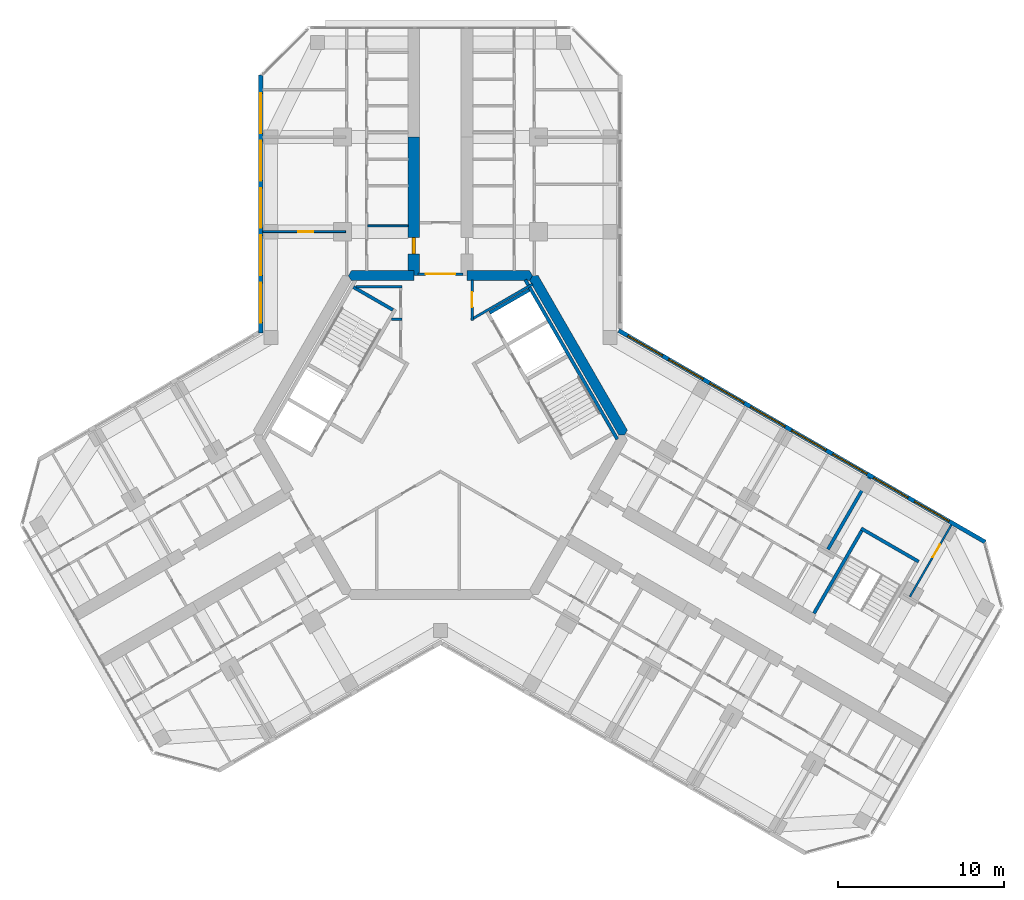
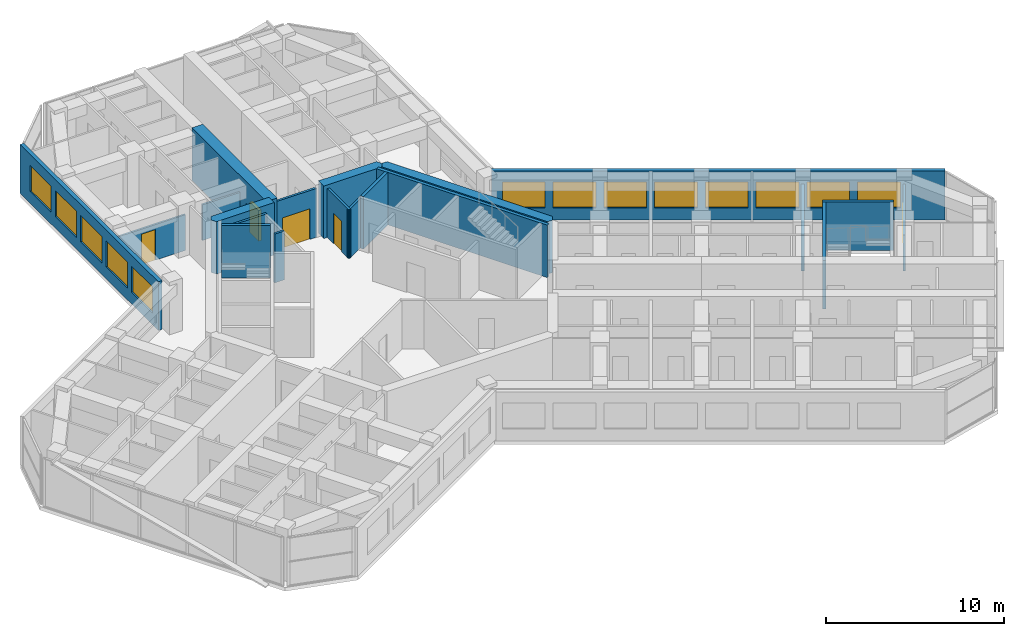
# One storey, part 13 of 16: 20 walls, 13 windows, 5 doors, 18 openings.
"""IFC4 building model written with IfcOpenShell, lengths in metres."""

import ifcopenshell
import ifcopenshell.guid

model = None  # the IFC model being written
_history = None  # IfcOwnerHistory: only IFC2X3 demands one
_inside = {}  # id of a spatial element -> (the spatial element, [elements in it])
_under = {}  # id of a project, library or spatial element -> (it, [spatial elements below it])
_declared = {}  # id of a project -> (the project, [libraries it declares])
_typed = {}  # id of a type object -> (the type object, [elements of that type])
_made_of = {}  # id of a material, layer set ... -> (it, [elements and type objects made of it])


def new_model(schema):
    """Start an empty IFC model of exactly this schema.

    Asked for "IFC4X3", IfcOpenShell would pick the latest addendum, in which some entities
    have other attributes; the version numbers below select the first issue.
    IFC2X3 requires an IfcOwnerHistory on every rooted entity: one is made here for all.
    """
    global model, _history
    if schema == "IFC4X3":
        model = ifcopenshell.file(schema_version=(4, 3, 0, 0))
    else:
        model = ifcopenshell.file(schema=schema)
    _inside.clear()
    _under.clear()
    _declared.clear()
    _typed.clear()
    _made_of.clear()
    _history = None
    if model.schema == "IFC2X3":
        org = make("IfcOrganization", Name="unknown")
        user = make(
            "IfcPersonAndOrganization",
            ThePerson=make("IfcPerson", FamilyName="unknown"),
            TheOrganization=org,
        )
        app = make(
            "IfcApplication",
            ApplicationDeveloper=org,
            Version="unknown",
            ApplicationFullName="unknown",
            ApplicationIdentifier="unknown",
        )
        _history = make(
            "IfcOwnerHistory",
            OwningUser=user,
            OwningApplication=app,
            ChangeAction="ADDED",
            CreationDate=0,
        )
    return model


def make(cls, **values):
    """One entity of the class cls with the attributes given. An attribute that is None is left unset."""
    return model.create_entity(
        cls, **{name: value for name, value in values.items() if value is not None}
    )


def rooted(cls, **values):
    """An entity with a GlobalId (a new one), such as an element, a storey or a relation."""
    return make(cls, GlobalId=ifcopenshell.guid.new(), OwnerHistory=_history, **values)


def si_unit(unit_type, name, prefix=None):
    """IfcSIUnit, for example si_unit("LENGTHUNIT", "METRE", prefix="MILLI")."""
    return make("IfcSIUnit", UnitType=unit_type, Prefix=prefix, Name=name)


def assignment(units):
    """IfcUnitAssignment: the units of a project."""
    return None if units is None else make("IfcUnitAssignment", Units=units)


def point(xyz):
    """IfcCartesianPoint."""
    return None if xyz is None else make("IfcCartesianPoint", Coordinates=xyz)


def direction(xyz):
    """IfcDirection."""
    return None if xyz is None else make("IfcDirection", DirectionRatios=xyz)


def frame(location, z_axis=None, x_axis=None):
    """IfcAxis2Placement3D, a coordinate frame: its origin and axes. An axis left out is left unset."""
    return make(
        "IfcAxis2Placement3D",
        Location=point(location),
        Axis=direction(z_axis),
        RefDirection=direction(x_axis),
    )


def frame_2d(location, x_axis=None):
    """IfcAxis2Placement2D, a coordinate frame in the plane: its origin and x axis."""
    return make(
        "IfcAxis2Placement2D", Location=point(location), RefDirection=direction(x_axis)
    )


def origin():
    """The frame at (0, 0, 0) with its axes left unset."""
    return frame((0.0, 0.0, 0.0))


def place(relative_to, where):
    """IfcLocalPlacement: puts the frame where relative to a parent placement (None: the world)."""
    return make(
        "IfcLocalPlacement", PlacementRelTo=relative_to, RelativePlacement=where
    )


def context(
    kind, dimensions, precision=None, world=None, true_north=None, identifier=None
):
    """IfcGeometricRepresentationContext, for example the 3D "Model" context."""
    return make(
        "IfcGeometricRepresentationContext",
        ContextIdentifier=identifier,
        ContextType=kind,
        CoordinateSpaceDimension=dimensions,
        Precision=precision,
        WorldCoordinateSystem=world,
        TrueNorth=true_north,
    )


def subcontext(parent, identifier, kind, view, scale=None):
    """IfcGeometricRepresentationSubContext, for example "Body" below "Model"."""
    return make(
        "IfcGeometricRepresentationSubContext",
        ContextIdentifier=identifier,
        ContextType=kind,
        ParentContext=parent,
        TargetScale=scale,
        TargetView=view,
    )


def project(units=None, contexts=None):
    """IfcProject with its units and contexts."""
    return rooted(
        "IfcProject",
        Name="project",
        RepresentationContexts=contexts,
        UnitsInContext=assignment(units),
    )


def spatial(cls, under=None, at=None, **own):
    """A site, building, storey or space (cls), placed at a placement, below another one or the project."""
    s = rooted(cls, ObjectPlacement=at, **own)
    if under is not None:
        _under.setdefault(under.id(), (under, []))[1].append(s)
    return s


def polyline(points):
    """IfcPolyline through the points."""
    return make("IfcPolyline", Points=[point(p) for p in points])


def profile(cls, at=None, kind="AREA", **sizes):
    """A parametric profile (cls). Its sizes go by their IFC names, for example OverallWidth=200.0."""
    return make(cls, ProfileType=kind, Position=at, **sizes)


def rectangle(**sizes):
    """IfcRectangleProfileDef."""
    return profile("IfcRectangleProfileDef", **sizes)


def outline(outer, holes=None, kind="AREA"):
    """IfcArbitraryClosedProfileDef: a profile drawn as a closed curve; with holes, ...WithVoids."""
    if holes is None:
        return make("IfcArbitraryClosedProfileDef", ProfileType=kind, OuterCurve=outer)
    return make(
        "IfcArbitraryProfileDefWithVoids",
        ProfileType=kind,
        OuterCurve=outer,
        InnerCurves=holes,
    )


def extrude(swept, where, along, depth):
    """IfcExtrudedAreaSolid: the profile swept, set in the frame where, extruded along a direction by depth."""
    return make(
        "IfcExtrudedAreaSolid",
        SweptArea=swept,
        Position=where,
        ExtrudedDirection=direction(along),
        Depth=depth,
    )


def shape(context_of_items, identifier, shape_type, items):
    """IfcShapeRepresentation: the items that make up one representation, for example the "Body"."""
    return make(
        "IfcShapeRepresentation",
        ContextOfItems=context_of_items,
        RepresentationIdentifier=identifier,
        RepresentationType=shape_type,
        Items=items,
    )


def material(Name=None, Category=None):
    """IfcMaterial."""
    return make("IfcMaterial", Name=Name, Category=Category)


def layer(
    of_material, thickness, ventilated=None, Name=None, Category=None, Priority=None
):
    """IfcMaterialLayer: one layer of a wall or slab, of a material (None: an air gap)."""
    return make(
        "IfcMaterialLayer",
        Material=of_material,
        LayerThickness=thickness,
        IsVentilated=ventilated,
        Name=Name,
        Category=Category,
        Priority=Priority,
    )


def layer_set(layers, Name=None):
    """IfcMaterialLayerSet."""
    return make("IfcMaterialLayerSet", MaterialLayers=layers, LayerSetName=Name)


def made_of(thing, what):
    """Note that an element or type object is made of a material, layer set ...; save() writes the relation."""
    if what is not None:
        _made_of.setdefault(what.id(), (what, []))[1].append(thing)
    return thing


def type_object(cls, material=None, **own):
    """A type object (cls), such as IfcWallType, which elements share."""
    return made_of(rooted(cls, **own), material)


def element(
    cls,
    number,
    at=None,
    inside=None,
    cuts=None,
    type_object=None,
    material=None,
    context=None,
    identifier="Body",
    shape_type=None,
    held_by="IfcProductDefinitionShape",
    body=None,
    shapes=None,
    **own,
):
    """One element of the class cls, such as IfcWall. Its Tag is "e" and its number.

    at: its placement. inside: the storey or other place that contains it. cuts: it is an
    opening in that element (IfcRelVoidsElement). A single representation is given by context,
    identifier, shape_type and body (its items); several are given by shapes. held_by: the class
    of the entity that holds the representations. save() writes the other relations.
    """
    e = rooted(cls, Tag="e%d" % number, ObjectPlacement=at, **own)
    if body is not None:
        shapes = [shape(context, identifier, shape_type, body)]
    if shapes is not None:
        e.Representation = make(held_by, Representations=shapes)
    if inside is not None:
        _inside.setdefault(inside.id(), (inside, []))[1].append(e)
    if cuts is not None:
        rooted(
            "IfcRelVoidsElement", RelatingBuildingElement=cuts, RelatedOpeningElement=e
        )
    if type_object is not None:
        _typed.setdefault(type_object.id(), (type_object, []))[1].append(e)
    return made_of(e, material)


def fill(opening, filler):
    """IfcRelFillsElement: the door or window that sits in an opening."""
    return rooted(
        "IfcRelFillsElement",
        RelatingOpeningElement=opening,
        RelatedBuildingElement=filler,
    )


def aggregate(whole, parts):
    """IfcRelAggregates: a whole, such as a stair, and the parts it consists of."""
    return rooted("IfcRelAggregates", RelatingObject=whole, RelatedObjects=parts)


def save(model, path):
    """Write the relations noted so far, then the file.

    IfcRelAggregates (storeys below a building ...), IfcRelContainedInSpatialStructure (elements
    in a storey), IfcRelDefinesByType, IfcRelAssociatesMaterial and IfcRelDeclares: one each for
    every whole, place, type object, material and project.
    """
    for whole, parts in _under.values():
        aggregate(whole, parts)
    for where, things in _inside.values():
        rooted(
            "IfcRelContainedInSpatialStructure",
            RelatedElements=things,
            RelatingStructure=where,
        )
    for kind, things in _typed.values():
        rooted("IfcRelDefinesByType", RelatedObjects=things, RelatingType=kind)
    for what, things in _made_of.values():
        rooted("IfcRelAssociatesMaterial", RelatedObjects=things, RelatingMaterial=what)
    for by, libraries in _declared.values():
        rooted("IfcRelDeclares", RelatingContext=by, RelatedDefinitions=libraries)
    model.write(path)


model = new_model("IFC4")

# Units and contexts
model_context = context("Model", 3, precision=1e-05, world=origin(), true_north=direction((0.0, 1.0)))
body_context = subcontext(model_context, "Body", "Model", "MODEL_VIEW")
ifc_project = project(units=[si_unit("LENGTHUNIT", "METRE"), si_unit("AREAUNIT", "SQUARE_METRE"), si_unit("VOLUMEUNIT", "CUBIC_METRE"), si_unit("PLANEANGLEUNIT", "RADIAN"), si_unit("MASSUNIT", "GRAM", prefix="KILO")], contexts=[model_context])

# Site, building, storey
site_placement = place(None, origin())
site = spatial("IfcSite", under=ifc_project, at=site_placement, CompositionType="ELEMENT")
building_placement = place(site_placement, origin())
building = spatial("IfcBuilding", under=site, at=building_placement, Name="Kosmar Iwan School Tower", CompositionType="ELEMENT")
storey_placement = place(building_placement, frame((0.0, 0.0, 249.60009765625)))
storey = spatial("IfcBuildingStorey", under=building, at=storey_placement, Name="L63", CompositionType="ELEMENT", Elevation=249.60009765625)

# Walls
ifc_material_1 = material(Name="Gypsum board on steel studs, fire-rated", Category="steel")
ifc_layer_1 = layer(ifc_material_1, 0.14990234375)
ifc_layer_set_1 = layer_set([ifc_layer_1], Name="Core room partition 150")
wall_type_1 = type_object("IfcWallType", Name="Core room partition 150", PredefinedType="PARTITIONING", material=ifc_layer_set_1)
wall_1_placement = place(storey_placement, frame((-2.324951171875, 6.985107421875, 0.0), z_axis=(0.0, 0.0, 1.0), x_axis=(-1.0, 0.0, 0.0)))
element("IfcWall", 1, at=wall_1_placement, inside=storey, type_object=wall_type_1, Name="Core room partition L63-CW2", PredefinedType="PARTITIONING", context=body_context, shape_type="SweptSolid", body=[
    extrude(rectangle(XDim=0.623779296875, YDim=0.14990234375, at=frame_2d((0.31201171875, 0.0))), origin(), (0.0, 0.0, 1.0), 3.349853515625),
])
wall_2_placement = place(storey_placement, frame((-5.089599609375, 8.93994140625, 0.0), z_axis=(0.0, 0.0, 1.0), x_axis=(1.0, 0.0, 0.0)))
element("IfcWall", 2, at=wall_2_placement, inside=storey, type_object=wall_type_1, Name="Core room partition L63-CW3", PredefinedType="PARTITIONING", context=body_context, shape_type="SweptSolid", body=[
    extrude(rectangle(XDim=2.7646484375, YDim=0.14990234375, at=frame_2d((1.38232421875, 0.0))), origin(), (0.0, 0.0, 1.0), 3.349853515625),
])
wall_3_placement = place(storey_placement, frame((5.54296875, 9.089111328125, 0.0), z_axis=(0.0, 0.0, 1.0), x_axis=(-0.866045054481, -0.49996596245, 0.0)))
element("IfcWall", 3, at=wall_3_placement, inside=storey, type_object=wall_type_1, Name="Core room partition L63-CW11", PredefinedType="PARTITIONING", context=body_context, shape_type="SweptSolid", body=[
    extrude(rectangle(XDim=4.281494140625, YDim=0.14990234375, at=frame_2d((2.140625, 0.0))), origin(), (0.0, 0.0, 1.0), 3.349853515625),
])

# Wall, opening, door
wall_4_placement = place(storey_placement, frame((1.89990234375, 6.910888671875, 0.0), z_axis=(0.0, 0.0, 1.0), x_axis=(0.0, 1.0, 0.0)))
wall_4 = element("IfcWall", 4, at=wall_4_placement, inside=storey, type_object=wall_type_1, Name="Core room partition L63-CW12", PredefinedType="PARTITIONING", context=body_context, shape_type="SweptSolid", body=[
    extrude(rectangle(XDim=2.43408203125, YDim=0.14990234375, at=frame_2d((1.217041015625, 0.0))), origin(), (0.0, 0.0, 1.0), 3.349853515625),
])
opening_1_placement = place(wall_4_placement, frame((0.802001953125, 0.0, 0.0)))
opening_1 = element("IfcOpeningElement", 5, at=opening_1_placement, cuts=wall_4, Name="Opening D14", PredefinedType="OPENING", context=body_context, shape_type="SweptSolid", body=[
    extrude(rectangle(XDim=0.89990234375, YDim=2.10009765625, at=frame_2d((0.449951171875, 1.050048828125))), frame((0.0, 0.0869140625, 0.0), z_axis=(0.0, -1.0, 0.0), x_axis=(1.0, 0.0, 0.0)), (0.0, 0.0, 1.0), 0.173828125),
])
ifc_material_2 = material(Name="Timber fire door in steel frame", Category="steel")
door_type_1 = type_object("IfcDoorType", Name="Core room door 900x2100", OperationType="SINGLE_SWING_LEFT", PredefinedType="DOOR", material=ifc_material_2)
door_1_placement = place(opening_1_placement, origin())
door_1 = element("IfcDoor", 6, at=door_1_placement, inside=storey, type_object=door_type_1, Name="Water meter room door L63 6", OperationType="SINGLE_SWING_RIGHT", OverallHeight=2.10009765625, OverallWidth=0.89990234375, PredefinedType="DOOR", context=body_context, shape_type="SweptSolid", body=[
    extrude(rectangle(XDim=0.89990234375, YDim=2.10009765625, at=frame_2d((0.449951171875, 1.050048828125))), frame((0.0, 0.02490234375, 0.0), z_axis=(0.0, -1.0, 0.0), x_axis=(1.0, 0.0, 0.0)), (0.0, 0.0, 1.0), 0.050048828125),
])
fill(opening_1, door_1)

# Walls
ifc_material_3 = material(Name="Concrete C50/60", Category="concrete")
ifc_layer_2 = layer(ifc_material_3, 0.60009765625)
ifc_layer_set_2 = layer_set([ifc_layer_2], Name="Core wall 600")
wall_type_2 = type_object("IfcWallType", Name="Core wall 600", PredefinedType="SHEAR", material=ifc_layer_set_2)
wall_5_placement = place(storey_placement, origin())
element("IfcWall", 7, at=wall_5_placement, inside=storey, type_object=wall_type_2, Name="Core wall F030", PredefinedType="SHEAR", context=body_context, shape_type="SweptSolid", body=[
    extrude(outline(polyline([(10.73876953125, 0.0), (11.085205078125, 0.0), (11.25830078125, 0.300048828125), (5.888916015625, 9.60009765625), (5.54248046875, 9.60009765625), (5.369384765625, 9.300048828125), (10.73876953125, 0.0)])), origin(), (0.0, 0.0, 1.0), 3.599853515625),
])
wall_6_placement = place(storey_placement, origin())
element("IfcWall", 8, at=wall_6_placement, inside=storey, type_object=wall_type_2, Name="Core wall F090a", PredefinedType="SHEAR", context=body_context, shape_type="SweptSolid", body=[
    extrude(outline(polyline([(1.60009765625, 9.300048828125), (5.369384765625, 9.300048828125), (5.54248046875, 9.60009765625), (5.369384765625, 9.89990234375), (1.60009765625, 9.89990234375), (1.60009765625, 9.300048828125)])), origin(), (0.0, 0.0, 1.0), 3.599853515625),
])
wall_7_placement = place(storey_placement, origin())
element("IfcWall", 9, at=wall_7_placement, inside=storey, type_object=wall_type_2, Name="Core wall F090b", PredefinedType="SHEAR", context=body_context, shape_type="SweptSolid", body=[
    extrude(outline(polyline([(-5.369384765625, 9.300048828125), (-1.60009765625, 9.300048828125), (-1.60009765625, 9.89990234375), (-5.369384765625, 9.89990234375), (-5.54248046875, 9.60009765625), (-5.369384765625, 9.300048828125)])), origin(), (0.0, 0.0, 1.0), 3.599853515625),
])

# Wall, opening, door
ifc_material_4 = material(Name="Concrete C50/60", Category="concrete")
ifc_layer_3 = layer(ifc_material_4, 0.699951171875)
ifc_layer_set_3 = layer_set([ifc_layer_3], Name="Corridor buttress wall 700")
wall_type_3 = type_object("IfcWallType", Name="Corridor buttress wall 700", PredefinedType="SHEAR", material=ifc_layer_set_3)
wall_8_placement = place(storey_placement, frame((-1.60009765625, 9.60009765625, 0.0), z_axis=(0.0, 0.0, 1.0), x_axis=(0.0, 1.0, 0.0)))
wall_8 = element("IfcWall", 10, at=wall_8_placement, inside=storey, type_object=wall_type_3, Name="Corridor wall AL", PredefinedType="SHEAR", context=body_context, shape_type="SweptSolid", body=[
    extrude(rectangle(XDim=8.349853515625, YDim=0.699951171875, at=frame_2d((4.1748046875, 0.0))), origin(), (0.0, 0.0, 1.0), 3.599853515625),
])
opening_2_placement = place(wall_8_placement, frame((1.300048828125, 0.0, 0.0)))
opening_2 = element("IfcOpeningElement", 11, at=opening_2_placement, cuts=wall_8, Name="Opening D1", PredefinedType="OPENING", context=body_context, shape_type="SweptSolid", body=[
    extrude(rectangle(XDim=1.0, YDim=2.10009765625, at=frame_2d((0.5, 1.050048828125))), frame((0.0, 0.362060546875, 0.0), z_axis=(0.0, -1.0, 0.0), x_axis=(1.0, 0.0, 0.0)), (0.0, 0.0, 1.0), 0.723876953125),
])
ifc_material_5 = material(Name="Timber fire door in steel frame", Category="steel")
door_type_2 = type_object("IfcDoorType", Name="Flat entrance door 1000x2100", OperationType="SINGLE_SWING_LEFT", PredefinedType="DOOR", material=ifc_material_5)
door_2_placement = place(opening_2_placement, origin())
door_2 = element("IfcDoor", 12, at=door_2_placement, inside=storey, type_object=door_type_2, Name="Flat L63-AL1 entrance door", OperationType="SINGLE_SWING_RIGHT", OverallHeight=2.10009765625, OverallWidth=1.0, PredefinedType="DOOR", context=body_context, shape_type="SweptSolid", body=[
    extrude(rectangle(XDim=1.0, YDim=2.10009765625, at=frame_2d((0.5, 1.050048828125))), frame((0.0, 0.10009765625, 0.0), z_axis=(0.0, -1.0, 0.0), x_axis=(1.0, 0.0, 0.0)), (0.0, 0.0, 1.0), 0.199951171875),
])
fill(opening_2, door_2)

ifc_material_6 = material(Name="Steel framed glazed screen", Category="steel")
ifc_layer_4 = layer(ifc_material_6, 0.14990234375)
ifc_layer_set_4 = layer_set([ifc_layer_4], Name="Corridor screen wall 150")
wall_type_4 = type_object("IfcWallType", Name="Corridor screen wall 150", PredefinedType="PARTITIONING", material=ifc_layer_set_4)
wall_9_placement = place(storey_placement, frame((1.35009765625, 9.699951171875, 0.0), z_axis=(0.0, 0.0, 1.0), x_axis=(-1.0, 0.0, 0.0)))
wall_9 = element("IfcWall", 13, at=wall_9_placement, inside=storey, type_object=wall_type_4, Name="Corridor screen A L63", PredefinedType="PARTITIONING", context=body_context, shape_type="SweptSolid", body=[
    extrude(rectangle(XDim=2.7001953125, YDim=0.14990234375, at=frame_2d((1.35009765625, 0.0))), origin(), (0.0, 0.0, 1.0), 3.349853515625),
])
opening_3_placement = place(wall_9_placement, frame((0.449951171875, 0.0, 0.0)))
opening_3 = element("IfcOpeningElement", 14, at=opening_3_placement, cuts=wall_9, Name="Opening D9", PredefinedType="OPENING", context=body_context, shape_type="SweptSolid", body=[
    extrude(rectangle(XDim=1.800048828125, YDim=2.10009765625, at=frame_2d((0.89990234375, 1.050048828125))), frame((0.0, 0.0869140625, 0.0), z_axis=(0.0, -1.0, 0.0), x_axis=(1.0, 0.0, 0.0)), (0.0, 0.0, 1.0), 0.173828125),
])
ifc_material_7 = material(Name="Steel framed glazed smoke door", Category="steel")
door_type_3 = type_object("IfcDoorType", Name="Corridor smoke door pair 1800x2100", OperationType="DOUBLE_DOOR_DOUBLE_SWING", PredefinedType="DOOR", material=ifc_material_7)
door_3_placement = place(opening_3_placement, origin())
door_3 = element("IfcDoor", 15, at=door_3_placement, inside=storey, type_object=door_type_3, Name="Corridor doors A L63", OperationType="DOUBLE_DOOR_DOUBLE_SWING", OverallHeight=2.10009765625, OverallWidth=1.800048828125, PredefinedType="DOOR", context=body_context, shape_type="SweptSolid", body=[
    extrude(rectangle(XDim=1.800048828125, YDim=2.10009765625, at=frame_2d((0.89990234375, 1.050048828125))), frame((0.0, 0.02490234375, 0.0), z_axis=(0.0, -1.0, 0.0), x_axis=(1.0, 0.0, 0.0)), (0.0, 0.0, 1.0), 0.050048828125),
])
fill(opening_3, door_3)

ifc_material_8 = material(Name="Gypsum board on steel studs", Category="steel")
ifc_layer_5 = layer(ifc_material_8, 0.1201171875)
ifc_layer_set_5 = layer_set([ifc_layer_5], Name="Dwelling partition 120")
wall_type_5 = type_object("IfcWallType", Name="Dwelling partition 120", PredefinedType="PARTITIONING", material=ifc_layer_set_5)
wall_10_placement = place(storey_placement, frame((-5.7099609375, 12.25, 0.0), z_axis=(0.0, 0.0, 1.0), x_axis=(-1.0, 0.0, 0.0)))
wall_10 = element("IfcWall", 16, at=wall_10_placement, inside=storey, type_object=wall_type_5, Name="Partition L63-AL1-X1", PredefinedType="PARTITIONING", context=body_context, shape_type="SweptSolid", body=[
    extrude(rectangle(XDim=4.989990234375, YDim=0.1201171875, at=frame_2d((2.4951171875, 0.0))), origin(), (0.0, 0.0, 1.0), 2.449951171875),
])
opening_4_placement = place(wall_10_placement, frame((1.93994140625, 0.0, 0.0)))
opening_4 = element("IfcOpeningElement", 17, at=opening_4_placement, cuts=wall_10, Name="Opening D2", PredefinedType="OPENING", context=body_context, shape_type="SweptSolid", body=[
    extrude(rectangle(XDim=0.89990234375, YDim=2.10009765625, at=frame_2d((0.449951171875, 1.050048828125))), frame((0.0, 0.072021484375, 0.0), z_axis=(0.0, -1.0, 0.0), x_axis=(1.0, 0.0, 0.0)), (0.0, 0.0, 1.0), 0.14404296875),
])
ifc_material_9 = material(Name="Timber door in timber frame", Category="wood")
door_type_4 = type_object("IfcDoorType", Name="Internal door 900x2100", OperationType="SINGLE_SWING_LEFT", PredefinedType="DOOR", material=ifc_material_9)
door_4_placement = place(opening_4_placement, origin())
door_4 = element("IfcDoor", 18, at=door_4_placement, inside=storey, type_object=door_type_4, Name="Kitchen and dining room door L63-AL1-F1", OperationType="SINGLE_SWING_LEFT", OverallHeight=2.10009765625, OverallWidth=0.89990234375, PredefinedType="DOOR", context=body_context, shape_type="SweptSolid", body=[
    extrude(rectangle(XDim=0.89990234375, YDim=2.10009765625, at=frame_2d((0.449951171875, 1.050048828125))), frame((0.0, 0.02490234375, 0.0), z_axis=(0.0, -1.0, 0.0), x_axis=(1.0, 0.0, 0.0)), (0.0, 0.0, 1.0), 0.050048828125),
])
fill(opening_4, door_4)

# Wall
wall_11_placement = place(storey_placement, frame((-1.949951171875, 12.60009765625, 0.0), z_axis=(0.0, 0.0, 1.0), x_axis=(-1.0, 0.0, 0.0)))
element("IfcWall", 19, at=wall_11_placement, inside=storey, type_object=wall_type_5, Name="Partition L63-AL1-Y1", PredefinedType="PARTITIONING", context=body_context, shape_type="SweptSolid", body=[
    extrude(rectangle(XDim=2.43994140625, YDim=0.1201171875, at=frame_2d((1.219970703125, 0.0))), origin(), (0.0, 0.0, 1.0), 2.449951171875),
])

# Wall, opening, door
wall_12_placement = place(storey_placement, frame((28.27294921875, -9.72998046875, 0.0), z_axis=(0.0, 0.0, 1.0), x_axis=(0.499975153383, 0.86603974851, 0.0)))
wall_12 = element("IfcWall", 20, at=wall_12_placement, inside=storey, type_object=wall_type_5, Name="Partition L63-CL3-TX", PredefinedType="PARTITIONING", context=body_context, shape_type="SweptSolid", body=[
    extrude(rectangle(XDim=4.989990234375, YDim=0.1201171875, at=frame_2d((2.4951171875, 0.0))), origin(), (0.0, 0.0, 1.0), 2.449951171875),
])
opening_5_placement = place(wall_12_placement, frame((2.739990234375, 0.0, 0.0)))
opening_5 = element("IfcOpeningElement", 21, at=opening_5_placement, cuts=wall_12, Name="Opening D2", PredefinedType="OPENING", context=body_context, shape_type="SweptSolid", body=[
    extrude(rectangle(XDim=0.89990234375, YDim=2.10009765625, at=frame_2d((0.449951171875, 1.050048828125))), frame((0.0, 0.072021484375, 0.0), z_axis=(0.0, -1.0, 0.0), x_axis=(1.0, 0.0, 0.0)), (0.0, 0.0, 1.0), 0.14404296875),
])
door_5_placement = place(opening_5_placement, origin())
door_5 = element("IfcDoor", 22, at=door_5_placement, inside=storey, type_object=door_type_4, Name="Bedroom 1 door L63-CL3-T1", OperationType="SINGLE_SWING_RIGHT", OverallHeight=2.10009765625, OverallWidth=0.89990234375, PredefinedType="DOOR", context=body_context, shape_type="SweptSolid", body=[
    extrude(rectangle(XDim=0.89990234375, YDim=2.10009765625, at=frame_2d((0.449951171875, 1.050048828125))), frame((0.0, 0.02490234375, 0.0), z_axis=(0.0, -1.0, 0.0), x_axis=(1.0, 0.0, 0.0)), (0.0, 0.0, 1.0), 0.050048828125),
])
fill(opening_5, door_5)

# Walls
ifc_material_10 = material(Name="Concrete C35/45", Category="concrete")
ifc_layer_6 = layer(ifc_material_10, 0.199951171875)
ifc_layer_set_6 = layer_set([ifc_layer_6], Name="Escape stair wall 200")
wall_type_6 = type_object("IfcWallType", Name="Escape stair wall 200", PredefinedType="SHEAR", material=ifc_layer_set_6)
wall_13_placement = place(storey_placement, frame((22.49560546875, -10.736328125, 0.0), z_axis=(0.0, 0.0, 1.0), x_axis=(0.500013701029, 0.866017493347, 0.0)))
element("IfcWall", 23, at=wall_13_placement, inside=storey, type_object=wall_type_6, Name="Stair WS3 wall", PredefinedType="SHEAR", context=body_context, shape_type="SweptSolid", body=[
    extrude(rectangle(XDim=5.949951171875, YDim=0.199951171875, at=frame_2d((2.97509765625, 0.0))), origin(), (0.0, 0.0, 1.0), 3.329833984375),
])
wall_14_placement = place(storey_placement, frame((25.334228515625, -5.6201171875, 0.0), z_axis=(0.0, 0.0, 1.0), x_axis=(0.866026010844, -0.49999894854, 0.0)))
element("IfcWall", 24, at=wall_14_placement, inside=storey, type_object=wall_type_6, Name="Stair WS3 wall", PredefinedType="SHEAR", context=body_context, shape_type="SweptSolid", body=[
    extrude(rectangle(XDim=4.0, YDim=0.199951171875, at=frame_2d((2.0, 0.0))), origin(), (0.0, 0.0, 1.0), 3.329833984375),
])

# Wall, openings, windows
ifc_material_11 = material(Name="Black aluminium rainscreen on insulated framing", Category="aluminium")
ifc_layer_7 = layer(ifc_material_11, 0.25)
ifc_layer_set_7 = layer_set([ifc_layer_7], Name="External wall rainscreen 250")
wall_type_7 = type_object("IfcWallType", Name="External wall rainscreen 250", PredefinedType="SOLIDWALL", material=ifc_layer_set_7)
wall_15_placement = place(storey_placement, frame((10.73681640625, 6.30078125, 0.0), z_axis=(0.0, 0.0, 1.0), x_axis=(0.866026390279, -0.499998291337, 0.0)))
wall_15 = element("IfcWall", 25, at=wall_15_placement, inside=storey, type_object=wall_type_7, Name="External wall CL L63", PredefinedType="SOLIDWALL", context=body_context, shape_type="SweptSolid", body=[
    extrude(rectangle(XDim=25.4873046875, YDim=0.25, at=frame_2d((12.74365234375, 0.0))), origin(), (0.0, 0.0, 1.0), 3.349853515625),
])
opening_6_placement = place(wall_15_placement, frame((0.626953125, 0.0, 0.800048828125)))
opening_6 = element("IfcOpeningElement", 26, at=opening_6_placement, cuts=wall_15, Name="Opening W5", PredefinedType="OPENING", context=body_context, shape_type="SweptSolid", body=[
    extrude(rectangle(XDim=2.39990234375, YDim=1.800048828125, at=frame_2d((1.199951171875, 0.89990234375))), frame((0.0, 0.136962890625, 0.0), z_axis=(0.0, -1.0, 0.0), x_axis=(1.0, 0.0, 0.0)), (0.0, 0.0, 1.0), 0.27392578125),
])
opening_7_placement = place(wall_15_placement, frame((3.47705078125, 0.0, 0.800048828125)))
opening_7 = element("IfcOpeningElement", 27, at=opening_7_placement, cuts=wall_15, Name="Opening W5", PredefinedType="OPENING", context=body_context, shape_type="SweptSolid", body=[
    extrude(rectangle(XDim=2.39990234375, YDim=1.800048828125, at=frame_2d((1.199951171875, 0.89990234375))), frame((0.0, 0.136962890625, 0.0), z_axis=(0.0, -1.0, 0.0), x_axis=(1.0, 0.0, 0.0)), (0.0, 0.0, 1.0), 0.27392578125),
])
opening_8_placement = place(wall_15_placement, frame((6.326904296875, 0.0, 0.800048828125)))
opening_8 = element("IfcOpeningElement", 28, at=opening_8_placement, cuts=wall_15, Name="Opening W5", PredefinedType="OPENING", context=body_context, shape_type="SweptSolid", body=[
    extrude(rectangle(XDim=2.39990234375, YDim=1.800048828125, at=frame_2d((1.199951171875, 0.89990234375))), frame((0.0, 0.136962890625, 0.0), z_axis=(0.0, -1.0, 0.0), x_axis=(1.0, 0.0, 0.0)), (0.0, 0.0, 1.0), 0.27392578125),
])
opening_9_placement = place(wall_15_placement, frame((9.177001953125, 0.0, 0.800048828125)))
opening_9 = element("IfcOpeningElement", 29, at=opening_9_placement, cuts=wall_15, Name="Opening W5", PredefinedType="OPENING", context=body_context, shape_type="SweptSolid", body=[
    extrude(rectangle(XDim=2.39990234375, YDim=1.800048828125, at=frame_2d((1.199951171875, 0.89990234375))), frame((0.0, 0.136962890625, 0.0), z_axis=(0.0, -1.0, 0.0), x_axis=(1.0, 0.0, 0.0)), (0.0, 0.0, 1.0), 0.27392578125),
])
opening_10_placement = place(wall_15_placement, frame((12.027099609375, 0.0, 0.800048828125)))
opening_10 = element("IfcOpeningElement", 30, at=opening_10_placement, cuts=wall_15, Name="Opening W5", PredefinedType="OPENING", context=body_context, shape_type="SweptSolid", body=[
    extrude(rectangle(XDim=2.39990234375, YDim=1.800048828125, at=frame_2d((1.199951171875, 0.89990234375))), frame((0.0, 0.136962890625, 0.0), z_axis=(0.0, -1.0, 0.0), x_axis=(1.0, 0.0, 0.0)), (0.0, 0.0, 1.0), 0.27392578125),
])
opening_11_placement = place(wall_15_placement, frame((14.876953125, 0.0, 0.800048828125)))
opening_11 = element("IfcOpeningElement", 31, at=opening_11_placement, cuts=wall_15, Name="Opening W5", PredefinedType="OPENING", context=body_context, shape_type="SweptSolid", body=[
    extrude(rectangle(XDim=2.39990234375, YDim=1.800048828125, at=frame_2d((1.199951171875, 0.89990234375))), frame((0.0, 0.136962890625, 0.0), z_axis=(0.0, -1.0, 0.0), x_axis=(1.0, 0.0, 0.0)), (0.0, 0.0, 1.0), 0.27392578125),
])
opening_12_placement = place(wall_15_placement, frame((17.72705078125, 0.0, 0.800048828125)))
opening_12 = element("IfcOpeningElement", 32, at=opening_12_placement, cuts=wall_15, Name="Opening W5", PredefinedType="OPENING", context=body_context, shape_type="SweptSolid", body=[
    extrude(rectangle(XDim=2.39990234375, YDim=1.800048828125, at=frame_2d((1.199951171875, 0.89990234375))), frame((0.0, 0.136962890625, 0.0), z_axis=(0.0, -1.0, 0.0), x_axis=(1.0, 0.0, 0.0)), (0.0, 0.0, 1.0), 0.27392578125),
])
opening_13_placement = place(wall_15_placement, frame((20.576904296875, 0.0, 0.800048828125)))
opening_13 = element("IfcOpeningElement", 33, at=opening_13_placement, cuts=wall_15, Name="Opening W5", PredefinedType="OPENING", context=body_context, shape_type="SweptSolid", body=[
    extrude(rectangle(XDim=2.39990234375, YDim=1.800048828125, at=frame_2d((1.199951171875, 0.89990234375))), frame((0.0, 0.136962890625, 0.0), z_axis=(0.0, -1.0, 0.0), x_axis=(1.0, 0.0, 0.0)), (0.0, 0.0, 1.0), 0.27392578125),
])
ifc_material_12 = material(Name="Black aluminium frame with dark triple glazing", Category="aluminium")
window_type = type_object("IfcWindowType", Name="Window 2400x1800", PartitioningType="SINGLE_PANEL", PredefinedType="WINDOW", material=ifc_material_12)
window_1_placement = place(opening_6_placement, origin())
window_1 = element("IfcWindow", 34, at=window_1_placement, inside=storey, type_object=window_type, Name="Window CL L63 -1", OverallHeight=1.800048828125, OverallWidth=2.39990234375, PartitioningType="SINGLE_PANEL", PredefinedType="WINDOW", context=body_context, shape_type="SweptSolid", body=[
    extrude(rectangle(XDim=2.39990234375, YDim=1.800048828125, at=frame_2d((1.199951171875, 0.89990234375))), frame((0.0, 0.030029296875, 0.0), z_axis=(0.0, -1.0, 0.0), x_axis=(1.0, 0.0, 0.0)), (0.0, 0.0, 1.0), 0.06005859375),
])
fill(opening_6, window_1)
window_2_placement = place(opening_7_placement, origin())
window_2 = element("IfcWindow", 35, at=window_2_placement, inside=storey, type_object=window_type, Name="Window CL L63 0", OverallHeight=1.800048828125, OverallWidth=2.39990234375, PartitioningType="SINGLE_PANEL", PredefinedType="WINDOW", context=body_context, shape_type="SweptSolid", body=[
    extrude(rectangle(XDim=2.39990234375, YDim=1.800048828125, at=frame_2d((1.199951171875, 0.89990234375))), frame((0.0, 0.030029296875, 0.0), z_axis=(0.0, -1.0, 0.0), x_axis=(1.0, 0.0, 0.0)), (0.0, 0.0, 1.0), 0.06005859375),
])
fill(opening_7, window_2)
window_3_placement = place(opening_8_placement, origin())
window_3 = element("IfcWindow", 36, at=window_3_placement, inside=storey, type_object=window_type, Name="Window CL L63 1", OverallHeight=1.800048828125, OverallWidth=2.39990234375, PartitioningType="SINGLE_PANEL", PredefinedType="WINDOW", context=body_context, shape_type="SweptSolid", body=[
    extrude(rectangle(XDim=2.39990234375, YDim=1.800048828125, at=frame_2d((1.199951171875, 0.89990234375))), frame((0.0, 0.030029296875, 0.0), z_axis=(0.0, -1.0, 0.0), x_axis=(1.0, 0.0, 0.0)), (0.0, 0.0, 1.0), 0.06005859375),
])
fill(opening_8, window_3)
window_4_placement = place(opening_9_placement, origin())
window_4 = element("IfcWindow", 37, at=window_4_placement, inside=storey, type_object=window_type, Name="Window CL L63 2", OverallHeight=1.800048828125, OverallWidth=2.39990234375, PartitioningType="SINGLE_PANEL", PredefinedType="WINDOW", context=body_context, shape_type="SweptSolid", body=[
    extrude(rectangle(XDim=2.39990234375, YDim=1.800048828125, at=frame_2d((1.199951171875, 0.89990234375))), frame((0.0, 0.030029296875, 0.0), z_axis=(0.0, -1.0, 0.0), x_axis=(1.0, 0.0, 0.0)), (0.0, 0.0, 1.0), 0.06005859375),
])
fill(opening_9, window_4)
window_5_placement = place(opening_10_placement, origin())
window_5 = element("IfcWindow", 38, at=window_5_placement, inside=storey, type_object=window_type, Name="Window CL L63 3", OverallHeight=1.800048828125, OverallWidth=2.39990234375, PartitioningType="SINGLE_PANEL", PredefinedType="WINDOW", context=body_context, shape_type="SweptSolid", body=[
    extrude(rectangle(XDim=2.39990234375, YDim=1.800048828125, at=frame_2d((1.199951171875, 0.89990234375))), frame((0.0, 0.030029296875, 0.0), z_axis=(0.0, -1.0, 0.0), x_axis=(1.0, 0.0, 0.0)), (0.0, 0.0, 1.0), 0.06005859375),
])
fill(opening_10, window_5)
window_6_placement = place(opening_11_placement, origin())
window_6 = element("IfcWindow", 39, at=window_6_placement, inside=storey, type_object=window_type, Name="Window CL L63 4", OverallHeight=1.800048828125, OverallWidth=2.39990234375, PartitioningType="SINGLE_PANEL", PredefinedType="WINDOW", context=body_context, shape_type="SweptSolid", body=[
    extrude(rectangle(XDim=2.39990234375, YDim=1.800048828125, at=frame_2d((1.199951171875, 0.89990234375))), frame((0.0, 0.030029296875, 0.0), z_axis=(0.0, -1.0, 0.0), x_axis=(1.0, 0.0, 0.0)), (0.0, 0.0, 1.0), 0.06005859375),
])
fill(opening_11, window_6)
window_7_placement = place(opening_12_placement, origin())
window_7 = element("IfcWindow", 40, at=window_7_placement, inside=storey, type_object=window_type, Name="Window CL L63 5", OverallHeight=1.800048828125, OverallWidth=2.39990234375, PartitioningType="SINGLE_PANEL", PredefinedType="WINDOW", context=body_context, shape_type="SweptSolid", body=[
    extrude(rectangle(XDim=2.39990234375, YDim=1.800048828125, at=frame_2d((1.199951171875, 0.89990234375))), frame((0.0, 0.030029296875, 0.0), z_axis=(0.0, -1.0, 0.0), x_axis=(1.0, 0.0, 0.0)), (0.0, 0.0, 1.0), 0.06005859375),
])
fill(opening_12, window_7)
window_8_placement = place(opening_13_placement, origin())
window_8 = element("IfcWindow", 41, at=window_8_placement, inside=storey, type_object=window_type, Name="Window CL L63 6", OverallHeight=1.800048828125, OverallWidth=2.39990234375, PartitioningType="SINGLE_PANEL", PredefinedType="WINDOW", context=body_context, shape_type="SweptSolid", body=[
    extrude(rectangle(XDim=2.39990234375, YDim=1.800048828125, at=frame_2d((1.199951171875, 0.89990234375))), frame((0.0, 0.030029296875, 0.0), z_axis=(0.0, -1.0, 0.0), x_axis=(1.0, 0.0, 0.0)), (0.0, 0.0, 1.0), 0.06005859375),
])
fill(opening_13, window_8)

wall_16_placement = place(storey_placement, frame((-10.824951171875, 6.14794921875, 0.0), z_axis=(0.0, 0.0, 1.0), x_axis=(0.0, 1.0, 0.0)))
wall_16 = element("IfcWall", 42, at=wall_16_placement, inside=storey, type_object=wall_type_7, Name="External wall AL L63", PredefinedType="SOLIDWALL", context=body_context, shape_type="SweptSolid", body=[
    extrude(rectangle(XDim=15.537353515625, YDim=0.25, at=frame_2d((7.7685546875, 0.0))), origin(), (0.0, 0.0, 1.0), 3.349853515625),
])
opening_14_placement = place(wall_16_placement, frame((0.626953125, 0.0, 0.800048828125)))
opening_14 = element("IfcOpeningElement", 43, at=opening_14_placement, cuts=wall_16, Name="Opening W5", PredefinedType="OPENING", context=body_context, shape_type="SweptSolid", body=[
    extrude(rectangle(XDim=2.39990234375, YDim=1.800048828125, at=frame_2d((1.199951171875, 0.89990234375))), frame((0.0, 0.136962890625, 0.0), z_axis=(0.0, -1.0, 0.0), x_axis=(1.0, 0.0, 0.0)), (0.0, 0.0, 1.0), 0.27392578125),
])
opening_15_placement = place(wall_16_placement, frame((3.47705078125, 0.0, 0.800048828125)))
opening_15 = element("IfcOpeningElement", 44, at=opening_15_placement, cuts=wall_16, Name="Opening W5", PredefinedType="OPENING", context=body_context, shape_type="SweptSolid", body=[
    extrude(rectangle(XDim=2.39990234375, YDim=1.800048828125, at=frame_2d((1.199951171875, 0.89990234375))), frame((0.0, 0.136962890625, 0.0), z_axis=(0.0, -1.0, 0.0), x_axis=(1.0, 0.0, 0.0)), (0.0, 0.0, 1.0), 0.27392578125),
])
opening_16_placement = place(wall_16_placement, frame((6.326904296875, 0.0, 0.800048828125)))
opening_16 = element("IfcOpeningElement", 45, at=opening_16_placement, cuts=wall_16, Name="Opening W5", PredefinedType="OPENING", context=body_context, shape_type="SweptSolid", body=[
    extrude(rectangle(XDim=2.39990234375, YDim=1.800048828125, at=frame_2d((1.199951171875, 0.89990234375))), frame((0.0, 0.136962890625, 0.0), z_axis=(0.0, -1.0, 0.0), x_axis=(1.0, 0.0, 0.0)), (0.0, 0.0, 1.0), 0.27392578125),
])
opening_17_placement = place(wall_16_placement, frame((9.177001953125, 0.0, 0.800048828125)))
opening_17 = element("IfcOpeningElement", 46, at=opening_17_placement, cuts=wall_16, Name="Opening W5", PredefinedType="OPENING", context=body_context, shape_type="SweptSolid", body=[
    extrude(rectangle(XDim=2.39990234375, YDim=1.800048828125, at=frame_2d((1.199951171875, 0.89990234375))), frame((0.0, 0.136962890625, 0.0), z_axis=(0.0, -1.0, 0.0), x_axis=(1.0, 0.0, 0.0)), (0.0, 0.0, 1.0), 0.27392578125),
])
opening_18_placement = place(wall_16_placement, frame((12.027099609375, 0.0, 0.800048828125)))
opening_18 = element("IfcOpeningElement", 47, at=opening_18_placement, cuts=wall_16, Name="Opening W5", PredefinedType="OPENING", context=body_context, shape_type="SweptSolid", body=[
    extrude(rectangle(XDim=2.39990234375, YDim=1.800048828125, at=frame_2d((1.199951171875, 0.89990234375))), frame((0.0, 0.136962890625, 0.0), z_axis=(0.0, -1.0, 0.0), x_axis=(1.0, 0.0, 0.0)), (0.0, 0.0, 1.0), 0.27392578125),
])
window_9_placement = place(opening_14_placement, origin())
window_9 = element("IfcWindow", 48, at=window_9_placement, inside=storey, type_object=window_type, Name="Window AL L63 -1", OverallHeight=1.800048828125, OverallWidth=2.39990234375, PartitioningType="SINGLE_PANEL", PredefinedType="WINDOW", context=body_context, shape_type="SweptSolid", body=[
    extrude(rectangle(XDim=2.39990234375, YDim=1.800048828125, at=frame_2d((1.199951171875, 0.89990234375))), frame((0.0, 0.030029296875, 0.0), z_axis=(0.0, -1.0, 0.0), x_axis=(1.0, 0.0, 0.0)), (0.0, 0.0, 1.0), 0.06005859375),
])
fill(opening_14, window_9)
window_10_placement = place(opening_15_placement, origin())
window_10 = element("IfcWindow", 49, at=window_10_placement, inside=storey, type_object=window_type, Name="Window AL L63 0", OverallHeight=1.800048828125, OverallWidth=2.39990234375, PartitioningType="SINGLE_PANEL", PredefinedType="WINDOW", context=body_context, shape_type="SweptSolid", body=[
    extrude(rectangle(XDim=2.39990234375, YDim=1.800048828125, at=frame_2d((1.199951171875, 0.89990234375))), frame((0.0, 0.030029296875, 0.0), z_axis=(0.0, -1.0, 0.0), x_axis=(1.0, 0.0, 0.0)), (0.0, 0.0, 1.0), 0.06005859375),
])
fill(opening_15, window_10)
window_11_placement = place(opening_16_placement, origin())
window_11 = element("IfcWindow", 50, at=window_11_placement, inside=storey, type_object=window_type, Name="Window AL L63 1", OverallHeight=1.800048828125, OverallWidth=2.39990234375, PartitioningType="SINGLE_PANEL", PredefinedType="WINDOW", context=body_context, shape_type="SweptSolid", body=[
    extrude(rectangle(XDim=2.39990234375, YDim=1.800048828125, at=frame_2d((1.199951171875, 0.89990234375))), frame((0.0, 0.030029296875, 0.0), z_axis=(0.0, -1.0, 0.0), x_axis=(1.0, 0.0, 0.0)), (0.0, 0.0, 1.0), 0.06005859375),
])
fill(opening_16, window_11)
window_12_placement = place(opening_17_placement, origin())
window_12 = element("IfcWindow", 51, at=window_12_placement, inside=storey, type_object=window_type, Name="Window AL L63 2", OverallHeight=1.800048828125, OverallWidth=2.39990234375, PartitioningType="SINGLE_PANEL", PredefinedType="WINDOW", context=body_context, shape_type="SweptSolid", body=[
    extrude(rectangle(XDim=2.39990234375, YDim=1.800048828125, at=frame_2d((1.199951171875, 0.89990234375))), frame((0.0, 0.030029296875, 0.0), z_axis=(0.0, -1.0, 0.0), x_axis=(1.0, 0.0, 0.0)), (0.0, 0.0, 1.0), 0.06005859375),
])
fill(opening_17, window_12)
window_13_placement = place(opening_18_placement, origin())
window_13 = element("IfcWindow", 52, at=window_13_placement, inside=storey, type_object=window_type, Name="Window AL L63 3", OverallHeight=1.800048828125, OverallWidth=2.39990234375, PartitioningType="SINGLE_PANEL", PredefinedType="WINDOW", context=body_context, shape_type="SweptSolid", body=[
    extrude(rectangle(XDim=2.39990234375, YDim=1.800048828125, at=frame_2d((1.199951171875, 0.89990234375))), frame((0.0, 0.030029296875, 0.0), z_axis=(0.0, -1.0, 0.0), x_axis=(1.0, 0.0, 0.0)), (0.0, 0.0, 1.0), 0.06005859375),
])
fill(opening_18, window_13)

# Walls
ifc_material_13 = material(Name="Concrete C50/60", Category="concrete")
ifc_layer_8 = layer(ifc_material_13, 0.199951171875)
ifc_layer_set_8 = layer_set([ifc_layer_8], Name="Lift shaft wall 200")
wall_type_8 = type_object("IfcWallType", Name="Lift shaft wall 200", PredefinedType="SHEAR", material=ifc_layer_set_8)
wall_17_placement = place(storey_placement, frame((10.652099609375, -0.25, 0.0), z_axis=(0.0, 0.0, 1.0), x_axis=(-0.499990629522, 0.866030813765, 0.0)))
element("IfcWall", 53, at=wall_17_placement, inside=storey, type_object=wall_type_8, Name="Lift and stair back wall AC", PredefinedType="SHEAR", context=body_context, shape_type="SweptSolid", body=[
    extrude(rectangle(XDim=11.085205078125, YDim=0.199951171875, at=frame_2d((5.54248046875, 0.0))), origin(), (0.0, 0.0, 1.0), 3.599853515625),
])
wall_18_placement = place(storey_placement, frame((2.962646484375, 7.368408203125, 0.0), z_axis=(0.0, 0.0, 1.0), x_axis=(0.866027397988, 0.499996545922, 0.0)))
element("IfcWall", 54, at=wall_18_placement, inside=storey, type_object=wall_type_8, Name="Lift shaft wall AC 2", PredefinedType="SHEAR", context=body_context, shape_type="SweptSolid", body=[
    extrude(rectangle(XDim=2.75, YDim=0.199951171875, at=frame_2d((1.375, 0.0))), origin(), (0.0, 0.0, 1.0), 3.599853515625),
])
ifc_material_14 = material(Name="Concrete block masonry", Category="masonry")
ifc_layer_9 = layer(ifc_material_14, 0.199951171875)
ifc_layer_set_9 = layer_set([ifc_layer_9], Name="Party wall 200")
wall_type_9 = type_object("IfcWallType", Name="Party wall 200", PredefinedType="PARTITIONING", material=ifc_layer_set_9)
wall_19_placement = place(storey_placement, frame((23.33642578125, -6.8798828125, 0.0), z_axis=(0.0, 0.0, 1.0), x_axis=(0.500033033937, 0.866006330792, 0.0)))
element("IfcWall", 55, at=wall_19_placement, inside=storey, type_object=wall_type_9, Name="Partition L63-CL3-TB", PredefinedType="PARTITIONING", context=body_context, shape_type="SweptSolid", body=[
    extrude(rectangle(XDim=4.989990234375, YDim=0.199951171875, at=frame_2d((2.4951171875, 0.0))), origin(), (0.0, 0.0, 1.0), 2.449951171875),
])
ifc_material_15 = material(Name="Concrete C50/60", Category="concrete")
ifc_layer_10 = layer(ifc_material_15, 0.199951171875)
ifc_layer_set_10 = layer_set([ifc_layer_10], Name="Stair enclosure wall 200")
wall_type_10 = type_object("IfcWallType", Name="Stair enclosure wall 200", PredefinedType="SHEAR", material=ifc_layer_set_10)
wall_20_placement = place(storey_placement, frame((-2.862548828125, 7.541748046875, 0.0), z_axis=(0.0, 0.0, 1.0), x_axis=(-0.866027397988, 0.499996545922, 0.0)))
element("IfcWall", 56, at=wall_20_placement, inside=storey, type_object=wall_type_10, Name="Stair ST2 wall", PredefinedType="SHEAR", context=body_context, shape_type="SweptSolid", body=[
    extrude(rectangle(XDim=2.75, YDim=0.199951171875, at=frame_2d((1.375, 0.0))), origin(), (0.0, 0.0, 1.0), 3.599853515625),
])

save(model, "model.ifc")
